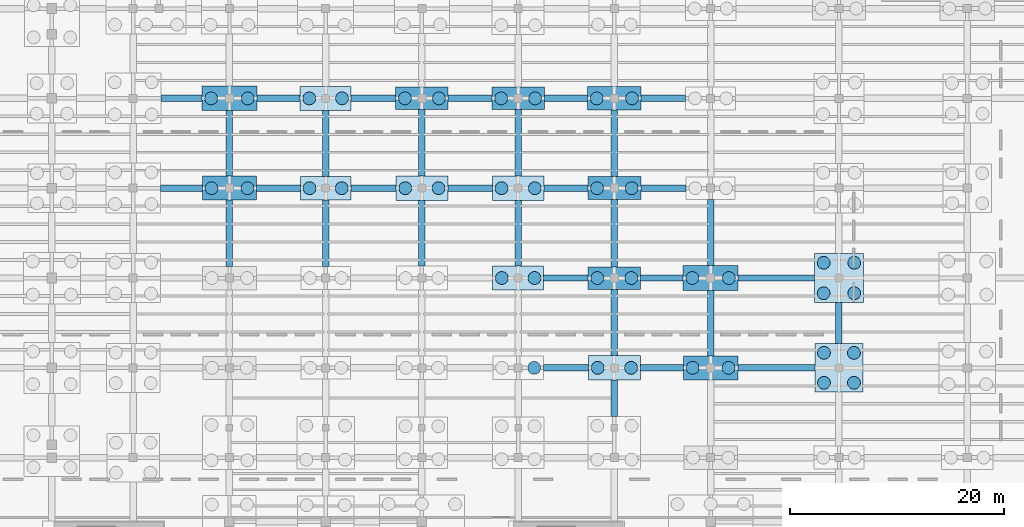
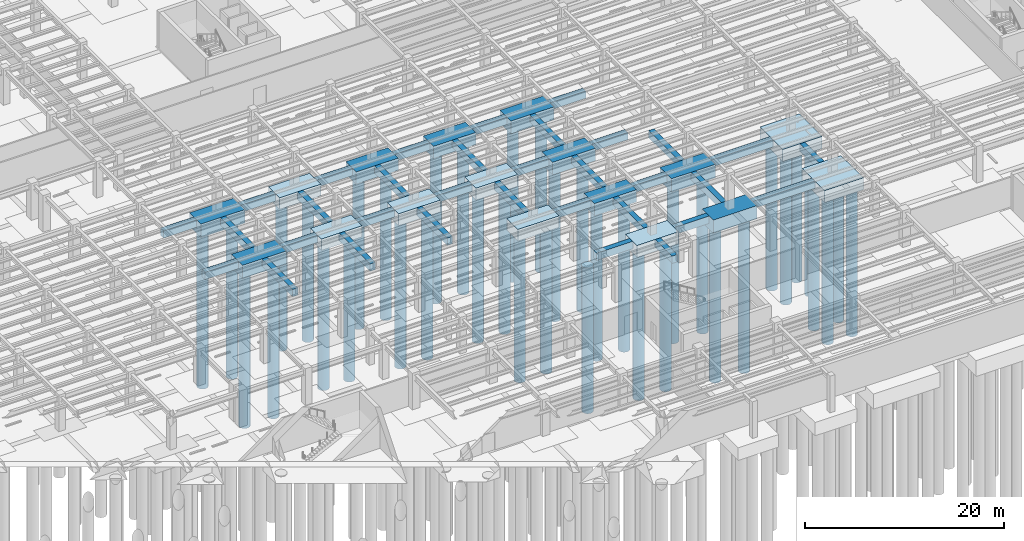
# One storey, part 7 of 49: 50 footings, 39 piles.
"""IFC4 building model written with IfcOpenShell, lengths in metres."""

from ifc_helpers import new_model, si_unit, direction, frame, origin, origin_2d, place, context, subcontext, project, spatial, rectangle, circle, extrude, material, material_profile, profile_set, type_object, element, save


model = new_model("IFC4")

# Units and contexts
model_context = context("Model", 3, precision=1e-05, world=origin(), true_north=direction((0.0, 1.0)))
body_context = subcontext(model_context, "Body", "Model", "MODEL_VIEW")
ifc_project = project(units=[si_unit("LENGTHUNIT", "METRE"), si_unit("AREAUNIT", "SQUARE_METRE"), si_unit("VOLUMEUNIT", "CUBIC_METRE"), si_unit("PLANEANGLEUNIT", "RADIAN"), si_unit("MASSUNIT", "GRAM", prefix="KILO")], contexts=[model_context])

# Site, building, storey
site_placement = place(None, origin())
site = spatial("IfcSite", under=ifc_project, at=site_placement, CompositionType="ELEMENT")
building_placement = place(site_placement, origin())
building = spatial("IfcBuilding", under=site, at=building_placement, Name="Sollismere Congress Hotel", CompositionType="ELEMENT")
storey_placement = place(building_placement, frame((0.0, 0.0, -4.5)))
storey = spatial("IfcBuildingStorey", under=building, at=storey_placement, Name="B1", CompositionType="ELEMENT", Elevation=-4.5)

# Footings
ifc_material = material(Name="Concrete C40/50", Category="concrete")
footing_type_1 = type_object("IfcFootingType", Name="FT-GB600", PredefinedType="FOOTING_BEAM", material=ifc_material)
footing_1_placement = place(storey_placement, frame((98.469970703125, 33.199951171875, -0.89990234375), z_axis=(0.0, 0.0, 1.0), x_axis=(1.0, 0.0, 0.0)))
element("IfcFooting", 1, at=footing_1_placement, inside=storey, type_object=footing_type_1, Name="FTG-GB-060", PredefinedType="FOOTING_BEAM", context=body_context, shape_type="SweptSolid", body=[
    extrude(rectangle(XDim=4.219970703125, YDim=0.60009765625, at=origin_2d()), origin(), (0.0, 0.0, 1.0), 0.89990234375),
])
footing_2_placement = place(storey_placement, frame((107.43994140625, 33.199951171875, -0.89990234375), z_axis=(0.0, 0.0, 1.0), x_axis=(1.0, 0.0, 0.0)))
element("IfcFooting", 2, at=footing_2_placement, inside=storey, type_object=footing_type_1, Name="FTG-GB-061", PredefinedType="FOOTING_BEAM", context=body_context, shape_type="SweptSolid", body=[
    extrude(rectangle(XDim=4.0400390625, YDim=0.60009765625, at=origin_2d()), origin(), (0.0, 0.0, 1.0), 0.89990234375),
])
footing_3_placement = place(storey_placement, frame((118.139892578125, 33.199951171875, -0.89990234375), z_axis=(0.0, 0.0, 1.0), x_axis=(1.0, 0.0, 0.0)))
element("IfcFooting", 3, at=footing_3_placement, inside=storey, type_object=footing_type_1, Name="FTG-GB-062", PredefinedType="FOOTING_BEAM", context=body_context, shape_type="SweptSolid", body=[
    extrude(rectangle(XDim=7.199951171875, YDim=0.60009765625, at=origin_2d()), origin(), (0.0, 0.0, 1.0), 0.89990234375),
])
footing_4_placement = place(storey_placement, frame((98.469970703125, 41.60009765625, -0.89990234375), z_axis=(0.0, 0.0, 1.0), x_axis=(1.0, 0.0, 0.0)))
element("IfcFooting", 4, at=footing_4_placement, inside=storey, type_object=footing_type_1, Name="FTG-GB-077", PredefinedType="FOOTING_BEAM", context=body_context, shape_type="SweptSolid", body=[
    extrude(rectangle(XDim=4.159912109375, YDim=0.60009765625, at=origin_2d()), origin(), (0.0, 0.0, 1.0), 0.89990234375),
])
footing_5_placement = place(storey_placement, frame((107.43994140625, 41.60009765625, -0.89990234375), z_axis=(0.0, 0.0, 1.0), x_axis=(1.0, 0.0, 0.0)))
element("IfcFooting", 5, at=footing_5_placement, inside=storey, type_object=footing_type_1, Name="FTG-GB-078", PredefinedType="FOOTING_BEAM", context=body_context, shape_type="SweptSolid", body=[
    extrude(rectangle(XDim=3.97998046875, YDim=0.60009765625, at=origin_2d()), origin(), (0.0, 0.0, 1.0), 0.89990234375),
])
footing_6_placement = place(storey_placement, frame((118.139892578125, 41.60009765625, -0.89990234375), z_axis=(0.0, 0.0, 1.0), x_axis=(1.0, 0.0, 0.0)))
element("IfcFooting", 6, at=footing_6_placement, inside=storey, type_object=footing_type_1, Name="FTG-GB-079", PredefinedType="FOOTING_BEAM", context=body_context, shape_type="SweptSolid", body=[
    extrude(rectangle(XDim=7.139892578125, YDim=0.60009765625, at=origin_2d()), origin(), (0.0, 0.0, 1.0), 0.89990234375),
])
footing_7_placement = place(storey_placement, frame((62.510009765625, 50.0, -0.89990234375), z_axis=(0.0, 0.0, 1.0), x_axis=(1.0, 0.0, 0.0)))
element("IfcFooting", 7, at=footing_7_placement, inside=storey, type_object=footing_type_1, Name="FTG-GB-090", PredefinedType="FOOTING_BEAM", context=body_context, shape_type="SweptSolid", body=[
    extrude(rectangle(XDim=3.89990234375, YDim=0.60009765625, at=origin_2d()), origin(), (0.0, 0.0, 1.0), 0.89990234375),
])
footing_8_placement = place(storey_placement, frame((71.590087890625, 50.0, -0.89990234375), z_axis=(0.0, 0.0, 1.0), x_axis=(1.0, 0.0, 0.0)))
element("IfcFooting", 8, at=footing_8_placement, inside=storey, type_object=footing_type_1, Name="FTG-GB-091", PredefinedType="FOOTING_BEAM", context=body_context, shape_type="SweptSolid", body=[
    extrude(rectangle(XDim=4.10009765625, YDim=0.60009765625, at=origin_2d()), origin(), (0.0, 0.0, 1.0), 0.89990234375),
])
footing_9_placement = place(storey_placement, frame((80.469970703125, 50.0, -0.89990234375), z_axis=(0.0, 0.0, 1.0), x_axis=(1.0, 0.0, 0.0)))
element("IfcFooting", 9, at=footing_9_placement, inside=storey, type_object=footing_type_1, Name="FTG-GB-092", PredefinedType="FOOTING_BEAM", context=body_context, shape_type="SweptSolid", body=[
    extrude(rectangle(XDim=4.219970703125, YDim=0.60009765625, at=origin_2d()), origin(), (0.0, 0.0, 1.0), 0.89990234375),
])
footing_10_placement = place(storey_placement, frame((89.5, 50.0, -0.89990234375), z_axis=(0.0, 0.0, 1.0), x_axis=(1.0, 0.0, 0.0)))
element("IfcFooting", 10, at=footing_10_placement, inside=storey, type_object=footing_type_1, Name="FTG-GB-093", PredefinedType="FOOTING_BEAM", context=body_context, shape_type="SweptSolid", body=[
    extrude(rectangle(XDim=4.159912109375, YDim=0.60009765625, at=origin_2d()), origin(), (0.0, 0.0, 1.0), 0.89990234375),
])
footing_11_placement = place(storey_placement, frame((98.469970703125, 50.0, -0.89990234375), z_axis=(0.0, 0.0, 1.0), x_axis=(1.0, 0.0, 0.0)))
element("IfcFooting", 11, at=footing_11_placement, inside=storey, type_object=footing_type_1, Name="FTG-GB-094", PredefinedType="FOOTING_BEAM", context=body_context, shape_type="SweptSolid", body=[
    extrude(rectangle(XDim=4.10009765625, YDim=0.60009765625, at=origin_2d()), origin(), (0.0, 0.0, 1.0), 0.89990234375),
])
footing_12_placement = place(storey_placement, frame((107.590087890625, 50.0, -0.89990234375), z_axis=(0.0, 0.0, 1.0), x_axis=(1.0, 0.0, 0.0)))
element("IfcFooting", 12, at=footing_12_placement, inside=storey, type_object=footing_type_1, Name="FTG-GB-095", PredefinedType="FOOTING_BEAM", context=body_context, shape_type="SweptSolid", body=[
    extrude(rectangle(XDim=4.219970703125, YDim=0.60009765625, at=origin_2d()), origin(), (0.0, 0.0, 1.0), 0.89990234375),
])
footing_13_placement = place(storey_placement, frame((62.510009765625, 58.39990234375, -0.89990234375), z_axis=(0.0, 0.0, 1.0), x_axis=(1.0, 0.0, 0.0)))
element("IfcFooting", 13, at=footing_13_placement, inside=storey, type_object=footing_type_1, Name="FTG-GB-104", PredefinedType="FOOTING_BEAM", context=body_context, shape_type="SweptSolid", body=[
    extrude(rectangle(XDim=3.840087890625, YDim=0.60009765625, at=origin_2d()), origin(), (0.0, 0.0, 1.0), 0.89990234375),
])
footing_14_placement = place(storey_placement, frame((71.590087890625, 58.39990234375, -0.89990234375), z_axis=(0.0, 0.0, 1.0), x_axis=(1.0, 0.0, 0.0)))
element("IfcFooting", 14, at=footing_14_placement, inside=storey, type_object=footing_type_1, Name="FTG-GB-105", PredefinedType="FOOTING_BEAM", context=body_context, shape_type="SweptSolid", body=[
    extrude(rectangle(XDim=4.0400390625, YDim=0.60009765625, at=origin_2d()), origin(), (0.0, 0.0, 1.0), 0.89990234375),
])
footing_15_placement = place(storey_placement, frame((80.469970703125, 58.39990234375, -0.89990234375), z_axis=(0.0, 0.0, 1.0), x_axis=(1.0, 0.0, 0.0)))
element("IfcFooting", 15, at=footing_15_placement, inside=storey, type_object=footing_type_1, Name="FTG-GB-106", PredefinedType="FOOTING_BEAM", context=body_context, shape_type="SweptSolid", body=[
    extrude(rectangle(XDim=4.159912109375, YDim=0.60009765625, at=origin_2d()), origin(), (0.0, 0.0, 1.0), 0.89990234375),
])
footing_16_placement = place(storey_placement, frame((89.5, 58.39990234375, -0.89990234375), z_axis=(0.0, 0.0, 1.0), x_axis=(1.0, 0.0, 0.0)))
element("IfcFooting", 16, at=footing_16_placement, inside=storey, type_object=footing_type_1, Name="FTG-GB-107", PredefinedType="FOOTING_BEAM", context=body_context, shape_type="SweptSolid", body=[
    extrude(rectangle(XDim=4.10009765625, YDim=0.60009765625, at=origin_2d()), origin(), (0.0, 0.0, 1.0), 0.89990234375),
])
footing_17_placement = place(storey_placement, frame((98.469970703125, 58.39990234375, -0.89990234375), z_axis=(0.0, 0.0, 1.0), x_axis=(1.0, 0.0, 0.0)))
element("IfcFooting", 17, at=footing_17_placement, inside=storey, type_object=footing_type_1, Name="FTG-GB-108", PredefinedType="FOOTING_BEAM", context=body_context, shape_type="SweptSolid", body=[
    extrude(rectangle(XDim=4.0400390625, YDim=0.60009765625, at=origin_2d()), origin(), (0.0, 0.0, 1.0), 0.89990234375),
])
footing_18_placement = place(storey_placement, frame((107.590087890625, 58.39990234375, -0.89990234375), z_axis=(0.0, 0.0, 1.0), x_axis=(1.0, 0.0, 0.0)))
element("IfcFooting", 18, at=footing_18_placement, inside=storey, type_object=footing_type_1, Name="FTG-GB-109", PredefinedType="FOOTING_BEAM", context=body_context, shape_type="SweptSolid", body=[
    extrude(rectangle(XDim=4.159912109375, YDim=0.60009765625, at=origin_2d()), origin(), (0.0, 0.0, 1.0), 0.89990234375),
])
footing_19_placement = place(storey_placement, frame((67.0, 45.78759765625, -0.89990234375), z_axis=(0.0, 0.0, 1.0), x_axis=(0.0, 1.0, 0.0)))
element("IfcFooting", 19, at=footing_19_placement, inside=storey, type_object=footing_type_1, Name="FTG-GB-318", PredefinedType="FOOTING_BEAM", context=body_context, shape_type="SweptSolid", body=[
    extrude(rectangle(XDim=6.175048828125, YDim=0.60009765625, at=origin_2d()), origin(), (0.0, 0.0, 1.0), 0.89990234375),
])
footing_20_placement = place(storey_placement, frame((67.0, 54.1875, -0.89990234375), z_axis=(0.0, 0.0, 1.0), x_axis=(0.0, 1.0, 0.0)))
element("IfcFooting", 20, at=footing_20_placement, inside=storey, type_object=footing_type_1, Name="FTG-GB-319", PredefinedType="FOOTING_BEAM", context=body_context, shape_type="SweptSolid", body=[
    extrude(rectangle(XDim=6.125, YDim=0.60009765625, at=origin_2d()), origin(), (0.0, 0.0, 1.0), 0.89990234375),
])
footing_21_placement = place(storey_placement, frame((76.0, 45.78759765625, -0.89990234375), z_axis=(0.0, 0.0, 1.0), x_axis=(0.0, 1.0, 0.0)))
element("IfcFooting", 21, at=footing_21_placement, inside=storey, type_object=footing_type_1, Name="FTG-GB-331", PredefinedType="FOOTING_BEAM", context=body_context, shape_type="SweptSolid", body=[
    extrude(rectangle(XDim=6.22509765625, YDim=0.60009765625, at=origin_2d()), origin(), (0.0, 0.0, 1.0), 0.89990234375),
])
footing_22_placement = place(storey_placement, frame((76.0, 54.1875, -0.89990234375), z_axis=(0.0, 0.0, 1.0), x_axis=(0.0, 1.0, 0.0)))
element("IfcFooting", 22, at=footing_22_placement, inside=storey, type_object=footing_type_1, Name="FTG-GB-332", PredefinedType="FOOTING_BEAM", context=body_context, shape_type="SweptSolid", body=[
    extrude(rectangle(XDim=6.175048828125, YDim=0.60009765625, at=origin_2d()), origin(), (0.0, 0.0, 1.0), 0.89990234375),
])
footing_23_placement = place(storey_placement, frame((85.0, 45.78759765625, -0.89990234375), z_axis=(0.0, 0.0, 1.0), x_axis=(0.0, 1.0, 0.0)))
element("IfcFooting", 23, at=footing_23_placement, inside=storey, type_object=footing_type_1, Name="FTG-GB-341", PredefinedType="FOOTING_BEAM", context=body_context, shape_type="SweptSolid", body=[
    extrude(rectangle(XDim=6.125, YDim=0.60009765625, at=origin_2d()), origin(), (0.0, 0.0, 1.0), 0.89990234375),
])
footing_24_placement = place(storey_placement, frame((85.0, 54.25, -0.89990234375), z_axis=(0.0, 0.0, 1.0), x_axis=(0.0, 1.0, 0.0)))
element("IfcFooting", 24, at=footing_24_placement, inside=storey, type_object=footing_type_1, Name="FTG-GB-342", PredefinedType="FOOTING_BEAM", context=body_context, shape_type="SweptSolid", body=[
    extrude(rectangle(XDim=6.199951171875, YDim=0.60009765625, at=origin_2d()), origin(), (0.0, 0.0, 1.0), 0.89990234375),
])
footing_25_placement = place(storey_placement, frame((94.0, 45.78759765625, -0.89990234375), z_axis=(0.0, 0.0, 1.0), x_axis=(0.0, 1.0, 0.0)))
element("IfcFooting", 25, at=footing_25_placement, inside=storey, type_object=footing_type_1, Name="FTG-GB-350", PredefinedType="FOOTING_BEAM", context=body_context, shape_type="SweptSolid", body=[
    extrude(rectangle(XDim=6.125, YDim=0.60009765625, at=origin_2d()), origin(), (0.0, 0.0, 1.0), 0.89990234375),
])
footing_26_placement = place(storey_placement, frame((94.0, 54.25, -0.89990234375), z_axis=(0.0, 0.0, 1.0), x_axis=(0.0, 1.0, 0.0)))
element("IfcFooting", 26, at=footing_26_placement, inside=storey, type_object=footing_type_1, Name="FTG-GB-351", PredefinedType="FOOTING_BEAM", context=body_context, shape_type="SweptSolid", body=[
    extrude(rectangle(XDim=6.199951171875, YDim=0.60009765625, at=origin_2d()), origin(), (0.0, 0.0, 1.0), 0.89990234375),
])
footing_27_placement = place(storey_placement, frame((103.0, 30.35009765625, -0.89990234375), z_axis=(0.0, 0.0, 1.0), x_axis=(0.0, 1.0, 0.0)))
element("IfcFooting", 27, at=footing_27_placement, inside=storey, type_object=footing_type_1, Name="FTG-GB-360", PredefinedType="FOOTING_BEAM", context=body_context, shape_type="SweptSolid", body=[
    extrude(rectangle(XDim=3.39990234375, YDim=0.60009765625, at=origin_2d()), origin(), (0.0, 0.0, 1.0), 0.89990234375),
])
footing_28_placement = place(storey_placement, frame((103.0, 37.449951171875, -0.89990234375), z_axis=(0.0, 0.0, 1.0), x_axis=(0.0, 1.0, 0.0)))
element("IfcFooting", 28, at=footing_28_placement, inside=storey, type_object=footing_type_1, Name="FTG-GB-361", PredefinedType="FOOTING_BEAM", context=body_context, shape_type="SweptSolid", body=[
    extrude(rectangle(XDim=6.199951171875, YDim=0.60009765625, at=origin_2d()), origin(), (0.0, 0.0, 1.0), 0.89990234375),
])
footing_29_placement = place(storey_placement, frame((103.0, 45.78759765625, -0.89990234375), z_axis=(0.0, 0.0, 1.0), x_axis=(0.0, 1.0, 0.0)))
element("IfcFooting", 29, at=footing_29_placement, inside=storey, type_object=footing_type_1, Name="FTG-GB-362", PredefinedType="FOOTING_BEAM", context=body_context, shape_type="SweptSolid", body=[
    extrude(rectangle(XDim=6.27490234375, YDim=0.60009765625, at=origin_2d()), origin(), (0.0, 0.0, 1.0), 0.89990234375),
])
footing_30_placement = place(storey_placement, frame((103.0, 54.1875, -0.89990234375), z_axis=(0.0, 0.0, 1.0), x_axis=(0.0, 1.0, 0.0)))
element("IfcFooting", 30, at=footing_30_placement, inside=storey, type_object=footing_type_1, Name="FTG-GB-363", PredefinedType="FOOTING_BEAM", context=body_context, shape_type="SweptSolid", body=[
    extrude(rectangle(XDim=6.22509765625, YDim=0.60009765625, at=origin_2d()), origin(), (0.0, 0.0, 1.0), 0.89990234375),
])
footing_31_placement = place(storey_placement, frame((112.0, 37.387451171875, -0.89990234375), z_axis=(0.0, 0.0, 1.0), x_axis=(0.0, 1.0, 0.0)))
element("IfcFooting", 31, at=footing_31_placement, inside=storey, type_object=footing_type_1, Name="FTG-GB-374", PredefinedType="FOOTING_BEAM", context=body_context, shape_type="SweptSolid", body=[
    extrude(rectangle(XDim=6.125, YDim=0.60009765625, at=origin_2d()), origin(), (0.0, 0.0, 1.0), 0.89990234375),
])
footing_32_placement = place(storey_placement, frame((112.0, 45.85009765625, -0.89990234375), z_axis=(0.0, 0.0, 1.0), x_axis=(0.0, 1.0, 0.0)))
element("IfcFooting", 32, at=footing_32_placement, inside=storey, type_object=footing_type_1, Name="FTG-GB-375", PredefinedType="FOOTING_BEAM", context=body_context, shape_type="SweptSolid", body=[
    extrude(rectangle(XDim=6.199951171875, YDim=0.60009765625, at=origin_2d()), origin(), (0.0, 0.0, 1.0), 0.89990234375),
])
footing_33_placement = place(storey_placement, frame((124.0, 37.387451171875, -0.89990234375), z_axis=(0.0, 0.0, 1.0), x_axis=(0.0, 1.0, 0.0)))
element("IfcFooting", 33, at=footing_33_placement, inside=storey, type_object=footing_type_1, Name="FTG-GB-387", PredefinedType="FOOTING_BEAM", context=body_context, shape_type="SweptSolid", body=[
    extrude(rectangle(XDim=3.85498046875, YDim=0.60009765625, at=origin_2d()), origin(), (0.0, 0.0, 1.0), 0.89990234375),
])
footing_type_2 = type_object("IfcFootingType", Name="FT-PC2-03", PredefinedType="PILE_CAP", material=ifc_material)
footing_34_placement = place(storey_placement, frame((76.0, 50.0, -1.3798828125), z_axis=(0.0, 0.0, 1.0), x_axis=(1.0, 0.0, 0.0)))
element("IfcFooting", 34, at=footing_34_placement, inside=storey, type_object=footing_type_2, Name="Reinforced concrete pile cap PC-123", PredefinedType="PILE_CAP", context=body_context, shape_type="SweptSolid", body=[
    extrude(rectangle(XDim=4.719970703125, YDim=2.199951171875, at=origin_2d()), origin(), (0.0, 0.0, 1.0), 1.3798828125),
])
footing_type_3 = type_object("IfcFootingType", Name="FT-PC2-04", PredefinedType="PILE_CAP", material=ifc_material)
for number, where, z_axis, x_axis, name in (
    (35, (76.0, 58.39990234375, -1.419921875), (0.0, 0.0, 1.0), (1.0, 0.0, 0.0), "Reinforced concrete pile cap PC-124"),
    (36, (94.0, 41.60009765625, -1.419921875), (0.0, 0.0, 1.0), (1.0, 0.0, 0.0), "Reinforced concrete pile cap PC-144"),
):
    element("IfcFooting", number, at=place(storey_placement, frame(where, z_axis=z_axis, x_axis=x_axis)), inside=storey, type_object=footing_type_3, Name=name, PredefinedType="PILE_CAP", context=body_context, shape_type="SweptSolid", body=[
        extrude(rectangle(XDim=4.780029296875, YDim=2.25, at=origin_2d()), origin(), (0.0, 0.0, 1.0), 1.419921875),
    ])
footing_type_4 = type_object("IfcFootingType", Name="FT-PC2-05", PredefinedType="PILE_CAP", material=ifc_material)
for number, where, z_axis, x_axis, name in (
    (37, (85.0, 50.0, -1.4599609375), (0.0, 0.0, 1.0), (1.0, 0.0, 0.0), "Reinforced concrete pile cap PC-135"),
    (38, (94.0, 50.0, -1.4599609375), (0.0, 0.0, 1.0), (1.0, 0.0, 0.0), "Reinforced concrete pile cap PC-145"),
    (39, (103.0, 33.199951171875, -1.4599609375), (0.0, 0.0, 1.0), (1.0, 0.0, 0.0), "Reinforced concrete pile cap PC-155"),
):
    element("IfcFooting", number, at=place(storey_placement, frame(where, z_axis=z_axis, x_axis=x_axis)), inside=storey, type_object=footing_type_4, Name=name, PredefinedType="PILE_CAP", context=body_context, shape_type="SweptSolid", body=[
        extrude(rectangle(XDim=4.840087890625, YDim=2.300048828125, at=origin_2d()), origin(), (0.0, 0.0, 1.0), 1.4599609375),
    ])
footing_type_5 = type_object("IfcFootingType", Name="FT-PC2-06", PredefinedType="PILE_CAP", material=ifc_material)
for number, where, z_axis, x_axis, name in (
    (40, (85.0, 58.39990234375, -1.5), (0.0, 0.0, 1.0), (1.0, 0.0, 0.0), "Reinforced concrete pile cap PC-136"),
    (41, (94.0, 58.39990234375, -1.5), (0.0, 0.0, 1.0), (1.0, 0.0, 0.0), "Reinforced concrete pile cap PC-146"),
    (42, (103.0, 41.60009765625, -1.5), (0.0, 0.0, 1.0), (1.0, 0.0, 0.0), "Reinforced concrete pile cap PC-156"),
):
    element("IfcFooting", number, at=place(storey_placement, frame(where, z_axis=z_axis, x_axis=x_axis)), inside=storey, type_object=footing_type_5, Name=name, PredefinedType="PILE_CAP", context=body_context, shape_type="SweptSolid", body=[
        extrude(rectangle(XDim=4.89990234375, YDim=2.10009765625, at=origin_2d()), origin(), (0.0, 0.0, 1.0), 1.5),
    ])
footing_type_6 = type_object("IfcFootingType", Name="FT-PC2-07", PredefinedType="PILE_CAP", material=ifc_material)
footing_35_placement = place(storey_placement, frame((103.0, 50.0, -1.5400390625), z_axis=(0.0, 0.0, 1.0), x_axis=(1.0, 0.0, 0.0)))
element("IfcFooting", 43, at=footing_35_placement, inside=storey, type_object=footing_type_6, Name="Reinforced concrete pile cap PC-157", PredefinedType="PILE_CAP", context=body_context, shape_type="SweptSolid", body=[
    extrude(rectangle(XDim=4.9599609375, YDim=2.14990234375, at=origin_2d()), origin(), (0.0, 0.0, 1.0), 1.5400390625),
])
footing_type_7 = type_object("IfcFootingType", Name="FT-PC2-08", PredefinedType="PILE_CAP", material=ifc_material)
footing_36_placement = place(storey_placement, frame((103.0, 58.39990234375, -1.580078125), z_axis=(0.0, 0.0, 1.0), x_axis=(1.0, 0.0, 0.0)))
element("IfcFooting", 44, at=footing_36_placement, inside=storey, type_object=footing_type_7, Name="Reinforced concrete pile cap PC-158", PredefinedType="PILE_CAP", context=body_context, shape_type="SweptSolid", body=[
    extrude(rectangle(XDim=5.02001953125, YDim=2.199951171875, at=origin_2d()), origin(), (0.0, 0.0, 1.0), 1.580078125),
])
footing_type_8 = type_object("IfcFootingType", Name="FT-PC2-09", PredefinedType="PILE_CAP", material=ifc_material)
for number, where, z_axis, x_axis, name in (
    (45, (67.0, 50.0, -1.6201171875), (0.0, 0.0, 1.0), (1.0, 0.0, 0.0), "Reinforced concrete pile cap PC-109"),
    (46, (112.0, 33.199951171875, -1.6201171875), (0.0, 0.0, 1.0), (1.0, 0.0, 0.0), "Reinforced concrete pile cap PC-169"),
):
    element("IfcFooting", number, at=place(storey_placement, frame(where, z_axis=z_axis, x_axis=x_axis)), inside=storey, type_object=footing_type_8, Name=name, PredefinedType="PILE_CAP", context=body_context, shape_type="SweptSolid", body=[
        extrude(rectangle(XDim=5.080078125, YDim=2.25, at=origin_2d()), origin(), (0.0, 0.0, 1.0), 1.6201171875),
    ])
footing_type_9 = type_object("IfcFootingType", Name="FT-PC2-10", PredefinedType="PILE_CAP", material=ifc_material)
for number, where, z_axis, x_axis, name in (
    (47, (67.0, 58.39990234375, -1.66015625), (0.0, 0.0, 1.0), (1.0, 0.0, 0.0), "Reinforced concrete pile cap PC-110"),
    (48, (112.0, 41.60009765625, -1.66015625), (0.0, 0.0, 1.0), (1.0, 0.0, 0.0), "Reinforced concrete pile cap PC-170"),
):
    element("IfcFooting", number, at=place(storey_placement, frame(where, z_axis=z_axis, x_axis=x_axis)), inside=storey, type_object=footing_type_9, Name=name, PredefinedType="PILE_CAP", context=body_context, shape_type="SweptSolid", body=[
        extrude(rectangle(XDim=5.139892578125, YDim=2.300048828125, at=origin_2d()), origin(), (0.0, 0.0, 1.0), 1.659912109375),
    ])
footing_type_10 = type_object("IfcFootingType", Name="FT-PC4-01", PredefinedType="PILE_CAP", material=ifc_material)
footing_37_placement = place(storey_placement, frame((124.0, 33.199951171875, -1.4501953125), z_axis=(0.0, 0.0, 1.0), x_axis=(1.0, 0.0, 0.0)))
element("IfcFooting", 49, at=footing_37_placement, inside=storey, type_object=footing_type_10, Name="Reinforced concrete pile cap PC-183", PredefinedType="PILE_CAP", context=body_context, shape_type="SweptSolid", body=[
    extrude(rectangle(XDim=4.52001953125, YDim=4.52001953125, at=origin_2d()), origin(), (0.0, 0.0, 1.0), 1.449951171875),
])
footing_type_11 = type_object("IfcFootingType", Name="FT-PC4-02", PredefinedType="PILE_CAP", material=ifc_material)
footing_38_placement = place(storey_placement, frame((124.0, 41.60009765625, -1.490234375), z_axis=(0.0, 0.0, 1.0), x_axis=(1.0, 0.0, 0.0)))
element("IfcFooting", 50, at=footing_38_placement, inside=storey, type_object=footing_type_11, Name="Reinforced concrete pile cap PC-184", PredefinedType="PILE_CAP", context=body_context, shape_type="SweptSolid", body=[
    extrude(rectangle(XDim=4.580078125, YDim=4.570068359375, at=origin_2d()), origin(), (0.0, 0.0, 1.0), 1.489990234375),
])

# Piles
ifc_material_profile = material_profile(ifc_material, circle(Radius=0.60009765625, at=origin_2d()), Name="CAISSON1200")
ifc_profile_set = profile_set([ifc_material_profile], Name="Concrete C40/50")
pile_type = type_object("IfcPileType", Name="PL-CS1200", PredefinedType="BORED", material=ifc_profile_set)
for number, where, z_axis, x_axis, name in (
    (51, (65.320068359375, 50.0, -1.52001953125), (0.0, 0.0, -1.0), (1.0, 0.0, 0.0), "Bored rock-socketed caisson PL-335"),
    (52, (68.679931640625, 50.0, -1.52001953125), (0.0, 0.0, -1.0), (1.0, 0.0, 0.0), "Bored rock-socketed caisson PL-336"),
):
    element("IfcPile", number, at=place(storey_placement, frame(where, z_axis=z_axis, x_axis=x_axis)), inside=storey, type_object=pile_type, Name=name, PredefinedType="BORED", context=body_context, shape_type="SweptSolid", body=[
        extrude(circle(Radius=0.60009765625, at=origin_2d()), origin(), (0.0, 0.0, 1.0), 19.10009765625),
    ])
for number, where, z_axis, x_axis, name in (
    (53, (65.2900390625, 58.39990234375, -1.56005859375), (0.0, 0.0, -1.0), (1.0, 0.0, 0.0), "Bored rock-socketed caisson PL-337"),
    (54, (68.7099609375, 58.39990234375, -1.56005859375), (0.0, 0.0, -1.0), (1.0, 0.0, 0.0), "Bored rock-socketed caisson PL-338"),
):
    element("IfcPile", number, at=place(storey_placement, frame(where, z_axis=z_axis, x_axis=x_axis)), inside=storey, type_object=pile_type, Name=name, PredefinedType="BORED", context=body_context, shape_type="SweptSolid", body=[
        extrude(circle(Radius=0.60009765625, at=origin_2d()), origin(), (0.0, 0.0, 1.0), 19.300048828125),
    ])
for number, where, z_axis, x_axis, name in (
    (55, (74.5, 50.0, -1.280029296875), (0.0, 0.0, -1.0), (1.0, 0.0, 0.0), "Bored rock-socketed caisson PL-381"),
    (56, (77.5, 50.0, -1.280029296875), (0.0, 0.0, -1.0), (1.0, 0.0, 0.0), "Bored rock-socketed caisson PL-382"),
):
    element("IfcPile", number, at=place(storey_placement, frame(where, z_axis=z_axis, x_axis=x_axis)), inside=storey, type_object=pile_type, Name=name, PredefinedType="BORED", context=body_context, shape_type="SweptSolid", body=[
        extrude(circle(Radius=0.60009765625, at=origin_2d()), origin(), (0.0, 0.0, 1.0), 17.89990234375),
    ])
for number, where, z_axis, x_axis, name in (
    (57, (74.469970703125, 58.39990234375, -1.320068359375), (0.0, 0.0, -1.0), (1.0, 0.0, 0.0), "Bored rock-socketed caisson PL-383"),
    (58, (77.530029296875, 58.39990234375, -1.320068359375), (0.0, 0.0, -1.0), (1.0, 0.0, 0.0), "Bored rock-socketed caisson PL-384"),
):
    element("IfcPile", number, at=place(storey_placement, frame(where, z_axis=z_axis, x_axis=x_axis)), inside=storey, type_object=pile_type, Name=name, PredefinedType="BORED", context=body_context, shape_type="SweptSolid", body=[
        extrude(circle(Radius=0.60009765625, at=origin_2d()), origin(), (0.0, 0.0, 1.0), 18.10009765625),
    ])
for number, where, z_axis, x_axis, name in (
    (59, (83.43994140625, 50.0, -1.360107421875), (0.0, 0.0, -1.0), (1.0, 0.0, 0.0), "Bored rock-socketed caisson PL-423"),
    (60, (86.56005859375, 50.0, -1.360107421875), (0.0, 0.0, -1.0), (1.0, 0.0, 0.0), "Bored rock-socketed caisson PL-424"),
):
    element("IfcPile", number, at=place(storey_placement, frame(where, z_axis=z_axis, x_axis=x_axis)), inside=storey, type_object=pile_type, Name=name, PredefinedType="BORED", context=body_context, shape_type="SweptSolid", body=[
        extrude(circle(Radius=0.60009765625, at=origin_2d()), origin(), (0.0, 0.0, 1.0), 18.300048828125),
    ])
for number, where, z_axis, x_axis, name in (
    (61, (83.409912109375, 58.39990234375, -1.39990234375), (0.0, 0.0, -1.0), (1.0, 0.0, 0.0), "Bored rock-socketed caisson PL-425"),
    (62, (86.590087890625, 58.39990234375, -1.39990234375), (0.0, 0.0, -1.0), (1.0, 0.0, 0.0), "Bored rock-socketed caisson PL-426"),
):
    element("IfcPile", number, at=place(storey_placement, frame(where, z_axis=z_axis, x_axis=x_axis)), inside=storey, type_object=pile_type, Name=name, PredefinedType="BORED", context=body_context, shape_type="SweptSolid", body=[
        extrude(circle(Radius=0.60009765625, at=origin_2d()), origin(), (0.0, 0.0, 1.0), 18.5),
    ])
pile_placement = place(storey_placement, frame((95.5, 33.199951171875, -1.280029296875), z_axis=(0.0, 0.0, -1.0), x_axis=(1.0, 0.0, 0.0)))
element("IfcPile", 63, at=pile_placement, inside=storey, type_object=pile_type, Name="Bored rock-socketed caisson PL-450", PredefinedType="BORED", context=body_context, shape_type="SweptSolid", body=[
    extrude(circle(Radius=0.60009765625, at=origin_2d()), origin(), (0.0, 0.0, 1.0), 17.89990234375),
])
for number, where, z_axis, x_axis, name in (
    (64, (92.469970703125, 41.60009765625, -1.320068359375), (0.0, 0.0, -1.0), (1.0, 0.0, 0.0), "Bored rock-socketed caisson PL-451"),
    (65, (95.530029296875, 41.60009765625, -1.320068359375), (0.0, 0.0, -1.0), (1.0, 0.0, 0.0), "Bored rock-socketed caisson PL-452"),
):
    element("IfcPile", number, at=place(storey_placement, frame(where, z_axis=z_axis, x_axis=x_axis)), inside=storey, type_object=pile_type, Name=name, PredefinedType="BORED", context=body_context, shape_type="SweptSolid", body=[
        extrude(circle(Radius=0.60009765625, at=origin_2d()), origin(), (0.0, 0.0, 1.0), 18.10009765625),
    ])
for number, where, z_axis, x_axis, name in (
    (66, (92.43994140625, 50.0, -1.360107421875), (0.0, 0.0, -1.0), (1.0, 0.0, 0.0), "Bored rock-socketed caisson PL-453"),
    (67, (95.56005859375, 50.0, -1.360107421875), (0.0, 0.0, -1.0), (1.0, 0.0, 0.0), "Bored rock-socketed caisson PL-454"),
):
    element("IfcPile", number, at=place(storey_placement, frame(where, z_axis=z_axis, x_axis=x_axis)), inside=storey, type_object=pile_type, Name=name, PredefinedType="BORED", context=body_context, shape_type="SweptSolid", body=[
        extrude(circle(Radius=0.60009765625, at=origin_2d()), origin(), (0.0, 0.0, 1.0), 18.300048828125),
    ])
for number, where, z_axis, x_axis, name in (
    (68, (92.409912109375, 58.39990234375, -1.39990234375), (0.0, 0.0, -1.0), (1.0, 0.0, 0.0), "Bored rock-socketed caisson PL-455"),
    (69, (95.590087890625, 58.39990234375, -1.39990234375), (0.0, 0.0, -1.0), (1.0, 0.0, 0.0), "Bored rock-socketed caisson PL-456"),
):
    element("IfcPile", number, at=place(storey_placement, frame(where, z_axis=z_axis, x_axis=x_axis)), inside=storey, type_object=pile_type, Name=name, PredefinedType="BORED", context=body_context, shape_type="SweptSolid", body=[
        extrude(circle(Radius=0.60009765625, at=origin_2d()), origin(), (0.0, 0.0, 1.0), 18.5),
    ])
for number, where, z_axis, x_axis, name in (
    (70, (101.43994140625, 33.199951171875, -1.360107421875), (0.0, 0.0, -1.0), (1.0, 0.0, 0.0), "Bored rock-socketed caisson PL-487"),
    (71, (104.56005859375, 33.199951171875, -1.360107421875), (0.0, 0.0, -1.0), (1.0, 0.0, 0.0), "Bored rock-socketed caisson PL-488"),
):
    element("IfcPile", number, at=place(storey_placement, frame(where, z_axis=z_axis, x_axis=x_axis)), inside=storey, type_object=pile_type, Name=name, PredefinedType="BORED", context=body_context, shape_type="SweptSolid", body=[
        extrude(circle(Radius=0.60009765625, at=origin_2d()), origin(), (0.0, 0.0, 1.0), 18.300048828125),
    ])
for number, where, z_axis, x_axis, name in (
    (72, (101.409912109375, 41.60009765625, -1.39990234375), (0.0, 0.0, -1.0), (1.0, 0.0, 0.0), "Bored rock-socketed caisson PL-489"),
    (73, (104.590087890625, 41.60009765625, -1.39990234375), (0.0, 0.0, -1.0), (1.0, 0.0, 0.0), "Bored rock-socketed caisson PL-490"),
):
    element("IfcPile", number, at=place(storey_placement, frame(where, z_axis=z_axis, x_axis=x_axis)), inside=storey, type_object=pile_type, Name=name, PredefinedType="BORED", context=body_context, shape_type="SweptSolid", body=[
        extrude(circle(Radius=0.60009765625, at=origin_2d()), origin(), (0.0, 0.0, 1.0), 18.5),
    ])
for number, where, z_axis, x_axis, name in (
    (74, (101.3798828125, 50.0, -1.43994140625), (0.0, 0.0, -1.0), (1.0, 0.0, 0.0), "Bored rock-socketed caisson PL-491"),
    (75, (104.6201171875, 50.0, -1.43994140625), (0.0, 0.0, -1.0), (1.0, 0.0, 0.0), "Bored rock-socketed caisson PL-492"),
):
    element("IfcPile", number, at=place(storey_placement, frame(where, z_axis=z_axis, x_axis=x_axis)), inside=storey, type_object=pile_type, Name=name, PredefinedType="BORED", context=body_context, shape_type="SweptSolid", body=[
        extrude(circle(Radius=0.60009765625, at=origin_2d()), origin(), (0.0, 0.0, 1.0), 18.699951171875),
    ])
for number, where, z_axis, x_axis, name in (
    (76, (101.35009765625, 58.39990234375, -1.47998046875), (0.0, 0.0, -1.0), (1.0, 0.0, 0.0), "Bored rock-socketed caisson PL-493"),
    (77, (104.64990234375, 58.39990234375, -1.47998046875), (0.0, 0.0, -1.0), (1.0, 0.0, 0.0), "Bored rock-socketed caisson PL-494"),
):
    element("IfcPile", number, at=place(storey_placement, frame(where, z_axis=z_axis, x_axis=x_axis)), inside=storey, type_object=pile_type, Name=name, PredefinedType="BORED", context=body_context, shape_type="SweptSolid", body=[
        extrude(circle(Radius=0.60009765625, at=origin_2d()), origin(), (0.0, 0.0, 1.0), 18.89990234375),
    ])
for number, where, z_axis, x_axis, name in (
    (78, (110.320068359375, 33.199951171875, -1.52001953125), (0.0, 0.0, -1.0), (1.0, 0.0, 0.0), "Bored rock-socketed caisson PL-537"),
    (79, (113.679931640625, 33.199951171875, -1.52001953125), (0.0, 0.0, -1.0), (1.0, 0.0, 0.0), "Bored rock-socketed caisson PL-538"),
):
    element("IfcPile", number, at=place(storey_placement, frame(where, z_axis=z_axis, x_axis=x_axis)), inside=storey, type_object=pile_type, Name=name, PredefinedType="BORED", context=body_context, shape_type="SweptSolid", body=[
        extrude(circle(Radius=0.60009765625, at=origin_2d()), origin(), (0.0, 0.0, 1.0), 19.10009765625),
    ])
for number, where, z_axis, x_axis, name in (
    (80, (110.2900390625, 41.60009765625, -1.56005859375), (0.0, 0.0, -1.0), (1.0, 0.0, 0.0), "Bored rock-socketed caisson PL-539"),
    (81, (113.7099609375, 41.60009765625, -1.56005859375), (0.0, 0.0, -1.0), (1.0, 0.0, 0.0), "Bored rock-socketed caisson PL-540"),
):
    element("IfcPile", number, at=place(storey_placement, frame(where, z_axis=z_axis, x_axis=x_axis)), inside=storey, type_object=pile_type, Name=name, PredefinedType="BORED", context=body_context, shape_type="SweptSolid", body=[
        extrude(circle(Radius=0.60009765625, at=origin_2d()), origin(), (0.0, 0.0, 1.0), 19.300048828125),
    ])
for number, where, z_axis, x_axis, name in (
    (82, (122.60009765625, 31.800048828125, -1.35009765625), (0.0, 0.0, -1.0), (1.0, 0.0, 0.0), "Bored rock-socketed caisson PL-585"),
    (83, (125.39990234375, 31.800048828125, -1.35009765625), (0.0, 0.0, -1.0), (1.0, 0.0, 0.0), "Bored rock-socketed caisson PL-586"),
    (84, (122.60009765625, 34.60009765625, -1.35009765625), (0.0, 0.0, -1.0), (1.0, 0.0, 0.0), "Bored rock-socketed caisson PL-587"),
    (85, (125.39990234375, 34.60009765625, -1.35009765625), (0.0, 0.0, -1.0), (1.0, 0.0, 0.0), "Bored rock-socketed caisson PL-588"),
):
    element("IfcPile", number, at=place(storey_placement, frame(where, z_axis=z_axis, x_axis=x_axis)), inside=storey, type_object=pile_type, Name=name, PredefinedType="BORED", context=body_context, shape_type="SweptSolid", body=[
        extrude(circle(Radius=0.60009765625, at=origin_2d()), origin(), (0.0, 0.0, 1.0), 18.0),
    ])
for number, where, z_axis, x_axis, name in (
    (86, (122.570068359375, 40.175048828125, -1.389892578125), (0.0, 0.0, -1.0), (1.0, 0.0, 0.0), "Bored rock-socketed caisson PL-589"),
    (87, (125.429931640625, 40.175048828125, -1.389892578125), (0.0, 0.0, -1.0), (1.0, 0.0, 0.0), "Bored rock-socketed caisson PL-590"),
    (88, (122.570068359375, 43.02490234375, -1.389892578125), (0.0, 0.0, -1.0), (1.0, 0.0, 0.0), "Bored rock-socketed caisson PL-591"),
    (89, (125.429931640625, 43.02490234375, -1.389892578125), (0.0, 0.0, -1.0), (1.0, 0.0, 0.0), "Bored rock-socketed caisson PL-592"),
):
    element("IfcPile", number, at=place(storey_placement, frame(where, z_axis=z_axis, x_axis=x_axis)), inside=storey, type_object=pile_type, Name=name, PredefinedType="BORED", context=body_context, shape_type="SweptSolid", body=[
        extrude(circle(Radius=0.60009765625, at=origin_2d()), origin(), (0.0, 0.0, 1.0), 18.14990234375),
    ])

save(model, "model.ifc")
